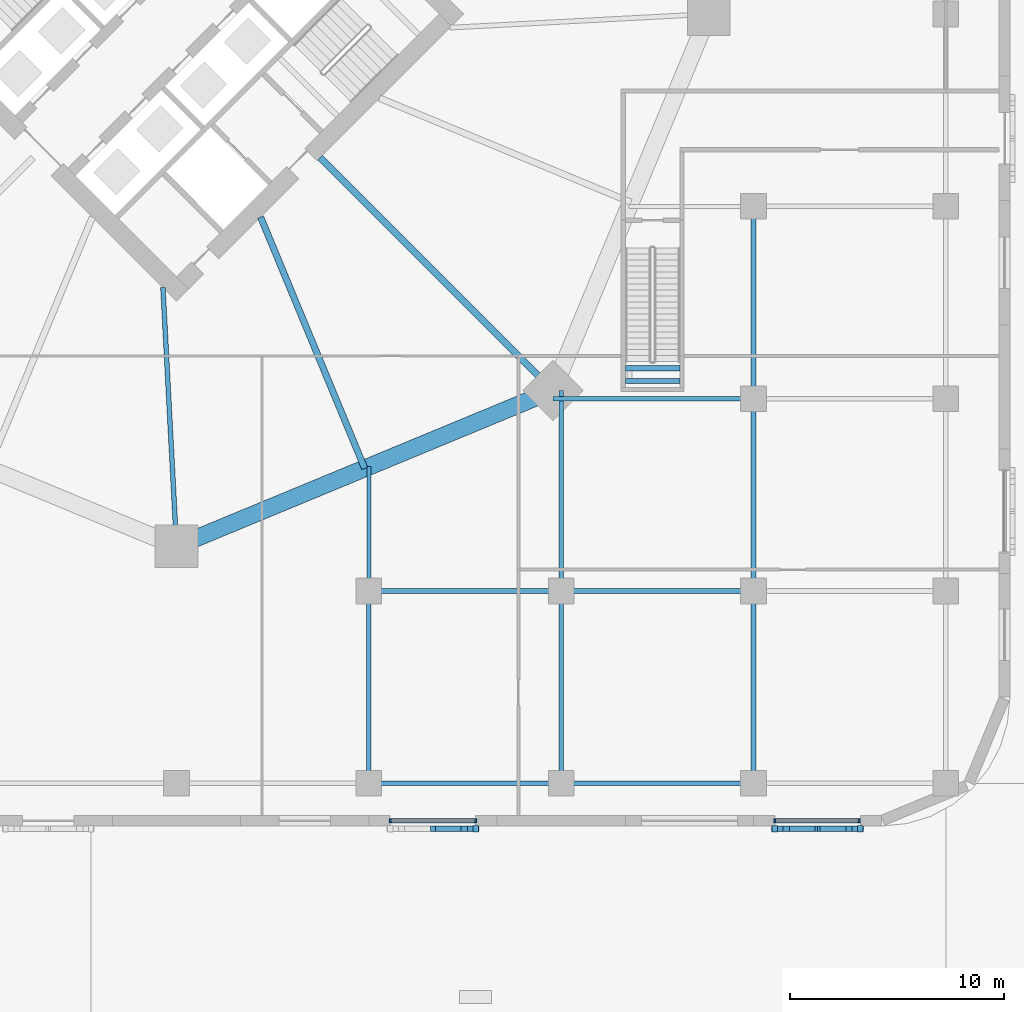
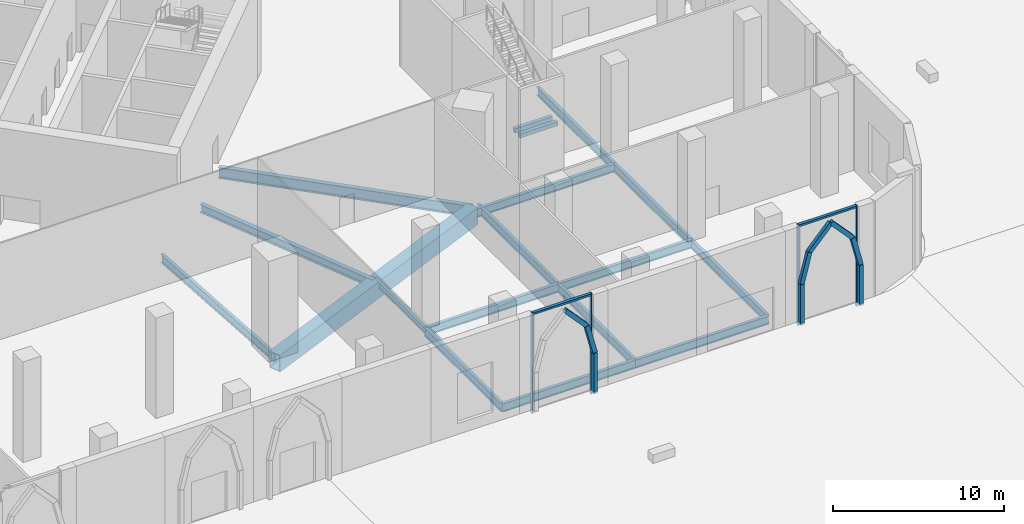
# One storey, part 12 of 48: 18 beams, 15 members, 2 elements without a shape of their own.
"""IFC4 building model written with IfcOpenShell, lengths in metres."""

from ifc_helpers import new_model, si_unit, direction, frame, origin, origin_2d, place, context, subcontext, project, spatial, rectangle, hollow_rectangle, i_section, extrude, material, material_profile, profile_set, type_object, element, aggregate, save


model = new_model("IFC4")

# Units and contexts
model_context = context("Model", 3, precision=1e-05, world=origin(), true_north=direction((0.0, 1.0)))
body_context = subcontext(model_context, "Body", "Model", "MODEL_VIEW")
ifc_project = project(units=[si_unit("LENGTHUNIT", "METRE"), si_unit("AREAUNIT", "SQUARE_METRE"), si_unit("VOLUMEUNIT", "CUBIC_METRE"), si_unit("PLANEANGLEUNIT", "RADIAN"), si_unit("MASSUNIT", "GRAM", prefix="KILO")], contexts=[model_context])

# Site, building, storey
site_placement = place(None, origin())
site = spatial("IfcSite", under=ifc_project, at=site_placement, CompositionType="ELEMENT")
building_placement = place(site_placement, origin())
building = spatial("IfcBuilding", under=site, at=building_placement, Name="Ogive Gate Towers", CompositionType="ELEMENT")
storey_placement = place(building_placement, origin())
storey = spatial("IfcBuildingStorey", under=building, at=storey_placement, Name="L00", CompositionType="ELEMENT", Elevation=0.0)

# Members
ifc_material_1 = material(Name="Precast concrete C40/50", Category="concrete")
ifc_material_profile_1 = material_profile(ifc_material_1, rectangle(XDim=0.25, YDim=0.300048828125, at=origin_2d()), Name="250 x 300 cast stone")
ifc_profile_set_1 = profile_set([ifc_material_profile_1], Name="Precast concrete C40/50")
member_type_1 = type_object("IfcMemberType", Name="Arch rib 250 x 300", PredefinedType="USERDEFINED", material=ifc_profile_set_1)
member_1_placement = place(storey_placement, frame((50.0, -38.125, 0.0), z_axis=(0.0, 0.0, 1.0), x_axis=(1.0, 0.0, 0.0)))
element("IfcMember", 1, at=member_1_placement, inside=storey, type_object=member_type_1, Name="Arcade arch rib", ObjectType="ARCH RIB", PredefinedType="USERDEFINED", context=body_context, shape_type="SweptSolid", body=[
    extrude(rectangle(XDim=0.25, YDim=0.300048828125, at=origin_2d()), origin(), (0.0, 0.0, 1.0), 2.89990234375),
])
for number, where, z_axis, x_axis, name in (
    (2, (50.0, -38.125, 2.89990234375), (-0.245931792163, 0.0, 0.969287136819), (0.0, -1.0, 0.0), "Arcade arch rib"),
    (3, (49.4677734375, -38.125, 4.99755859375), (-0.678223875113, 0.0, 0.734855343062), (0.0, -1.0, 0.0), "Arcade arch rib"),
):
    element("IfcMember", number, at=place(storey_placement, frame(where, z_axis=z_axis, x_axis=x_axis)), inside=storey, type_object=member_type_1, Name=name, ObjectType="ARCH RIB", PredefinedType="USERDEFINED", context=body_context, shape_type="SweptSolid", body=[
        extrude(rectangle(XDim=0.25, YDim=0.300048828125, at=origin_2d()), origin(), (0.0, 0.0, 1.0), 2.1640625),
    ])
member_2_placement = place(storey_placement, frame((64.0, -38.125, 0.0), z_axis=(0.0, 0.0, 1.0), x_axis=(1.0, 0.0, 0.0)))
element("IfcMember", 4, at=member_2_placement, inside=storey, type_object=member_type_1, Name="Arcade arch rib", ObjectType="ARCH RIB", PredefinedType="USERDEFINED", context=body_context, shape_type="SweptSolid", body=[
    extrude(rectangle(XDim=0.25, YDim=0.300048828125, at=origin_2d()), origin(), (0.0, 0.0, 1.0), 2.89990234375),
])
for number, where, z_axis, x_axis, name in (
    (5, (64.0, -38.125, 2.89990234375), (0.245931792163, 0.0, 0.969287136819), (0.0, 1.0, 0.0), "Arcade arch rib"),
    (6, (64.5322265625, -38.125, 4.99755859375), (0.678223875113, 0.0, 0.734855343062), (0.0, 1.0, 0.0), "Arcade arch rib"),
):
    element("IfcMember", number, at=place(storey_placement, frame(where, z_axis=z_axis, x_axis=x_axis)), inside=storey, type_object=member_type_1, Name=name, ObjectType="ARCH RIB", PredefinedType="USERDEFINED", context=body_context, shape_type="SweptSolid", body=[
        extrude(rectangle(XDim=0.25, YDim=0.300048828125, at=origin_2d()), origin(), (0.0, 0.0, 1.0), 2.1640625),
    ])
member_3_placement = place(storey_placement, frame((68.0, -38.125, 0.0), z_axis=(0.0, 0.0, 1.0), x_axis=(1.0, 0.0, 0.0)))
element("IfcMember", 7, at=member_3_placement, inside=storey, type_object=member_type_1, Name="Arcade arch rib", ObjectType="ARCH RIB", PredefinedType="USERDEFINED", context=body_context, shape_type="SweptSolid", body=[
    extrude(rectangle(XDim=0.25, YDim=0.300048828125, at=origin_2d()), origin(), (0.0, 0.0, 1.0), 2.89990234375),
])
for number, where, z_axis, x_axis, name in (
    (8, (68.0, -38.125, 2.89990234375), (-0.245931792163, 0.0, 0.969287136819), (0.0, -1.0, 0.0), "Arcade arch rib"),
    (9, (67.4677734375, -38.125, 4.99755859375), (-0.678223875113, 0.0, 0.734855343062), (0.0, -1.0, 0.0), "Arcade arch rib"),
):
    element("IfcMember", number, at=place(storey_placement, frame(where, z_axis=z_axis, x_axis=x_axis)), inside=storey, type_object=member_type_1, Name=name, ObjectType="ARCH RIB", PredefinedType="USERDEFINED", context=body_context, shape_type="SweptSolid", body=[
        extrude(rectangle(XDim=0.25, YDim=0.300048828125, at=origin_2d()), origin(), (0.0, 0.0, 1.0), 2.1640625),
    ])

# Beams
ifc_material_2 = material(Name="Steel SM460", Category="steel")
ifc_material_profile_2 = material_profile(ifc_material_2, hollow_rectangle(XDim=0.800048828125, YDim=1.199951171875, WallThickness=0.050048828125, at=origin_2d()), Name="BX 1200x800x50")
ifc_profile_set_2 = profile_set([ifc_material_profile_2], Name="Steel SM460")
beam_type_1 = type_object("IfcBeamType", Name="Edge girder BX 1200x800x50", PredefinedType="BEAM", material=ifc_profile_set_2)
beam_1_placement = place(storey_placement, frame((36.0, -24.909912109375, -0.89990234375), z_axis=(0.923880736283, 0.382680526191, 0.0), x_axis=(-0.382680526191, 0.923880736283, 0.0)))
element("IfcBeam", 10, at=beam_1_placement, inside=storey, type_object=beam_type_1, Name="T2/L00/SBM018", PredefinedType="BEAM", context=body_context, shape_type="SweptSolid", body=[
    extrude(hollow_rectangle(XDim=0.800048828125, YDim=1.199951171875, WallThickness=0.050048828125, at=origin_2d()), origin(), (0.0, 0.0, 1.0), 19.065185546875),
])
ifc_material_3 = material(Name="Steel SM355", Category="steel")
ifc_material_profile_3 = material_profile(ifc_material_3, i_section(OverallWidth=0.18994140625, OverallDepth=0.449951171875, WebThickness=0.009521484375, FlangeThickness=0.0146484375, FilletRadius=0.02099609375, at=origin_2d()), Name="IPE 450")
ifc_profile_set_3 = profile_set([ifc_material_profile_3], Name="Steel SM355")
beam_type_2 = type_object("IfcBeamType", Name="Floor beam IPE 450", PredefinedType="BEAM", material=ifc_profile_set_3)
beam_2_placement = place(storey_placement, frame((45.0, -27.0, -0.52490234375), z_axis=(0.0, 1.0, 0.0), x_axis=(-1.0, 0.0, 0.0)))
element("IfcBeam", 11, at=beam_2_placement, inside=storey, type_object=beam_type_2, Name="PD/L00/SBM165", PredefinedType="BEAM", context=body_context, shape_type="SweptSolid", body=[
    extrude(i_section(OverallWidth=0.18994140625, OverallDepth=0.449951171875, WebThickness=0.009521484375, FlangeThickness=0.0146484375, FilletRadius=0.02099609375, at=origin_2d()), origin(), (0.0, 0.0, 1.0), 5.81787109375),
])
ifc_material_profile_4 = material_profile(ifc_material_3, i_section(OverallWidth=0.219970703125, OverallDepth=0.60009765625, WebThickness=0.011962890625, FlangeThickness=0.01904296875, FilletRadius=0.02392578125, at=origin_2d()), Name="IPE 600")
ifc_profile_set_4 = profile_set([ifc_material_profile_4], Name="Steel SM355")
beam_type_3 = type_object("IfcBeamType", Name="Floor beam IPE 600", PredefinedType="BEAM", material=ifc_profile_set_4)
for number, where, z_axis, x_axis, name in (
    (12, (45.0, -36.0, -0.60009765625), (0.0, 1.0, 0.0), (-1.0, 0.0, 0.0), "PD/L00/SBM053"),
    (13, (54.0, -36.0, -0.60009765625), (0.0, 1.0, 0.0), (-1.0, 0.0, 0.0), "PD/L00/SBM055"),
):
    element("IfcBeam", number, at=place(storey_placement, frame(where, z_axis=z_axis, x_axis=x_axis)), inside=storey, type_object=beam_type_3, Name=name, PredefinedType="BEAM", context=body_context, shape_type="SweptSolid", body=[
        extrude(i_section(OverallWidth=0.219970703125, OverallDepth=0.60009765625, WebThickness=0.011962890625, FlangeThickness=0.01904296875, FilletRadius=0.02392578125, at=origin_2d()), origin(), (0.0, 0.0, 1.0), 9.0),
    ])
beam_3_placement = place(storey_placement, frame((54.0, -27.0, -0.60009765625), z_axis=(0.0, 1.0, 0.0), x_axis=(-1.0, 0.0, 0.0)))
element("IfcBeam", 14, at=beam_3_placement, inside=storey, type_object=beam_type_3, Name="PD/L00/SBM056", PredefinedType="BEAM", context=body_context, shape_type="SweptSolid", body=[
    extrude(i_section(OverallWidth=0.219970703125, OverallDepth=0.60009765625, WebThickness=0.011962890625, FlangeThickness=0.01904296875, FilletRadius=0.02392578125, at=origin_2d()), origin(), (0.0, 0.0, 1.0), 9.385986328125),
])
for number, where, z_axis, x_axis, name in (
    (15, (63.0, -36.0, -0.60009765625), (0.0, 1.0, 0.0), (-1.0, 0.0, 0.0), "PD/L00/SBM059"),
    (16, (63.0, -27.0, -0.60009765625), (0.0, 1.0, 0.0), (-1.0, 0.0, 0.0), "PD/L00/SBM060"),
    (17, (63.0, -18.0, -0.60009765625), (0.0, 1.0, 0.0), (-1.0, 0.0, 0.0), "PD/L00/SBM061"),
    (18, (45.0, -36.0, -0.60009765625), (1.0, 0.0, 0.0), (0.0, 1.0, 0.0), "PD/L00/SBM086"),
    (19, (54.0, -36.0, -0.60009765625), (1.0, 0.0, 0.0), (0.0, 1.0, 0.0), "PD/L00/SBM087"),
    (20, (45.0, -27.0, -0.60009765625), (1.0, 0.0, 0.0), (0.0, 1.0, 0.0), "PD/L00/SBM098"),
    (21, (54.0, -27.0, -0.60009765625), (1.0, 0.0, 0.0), (0.0, 1.0, 0.0), "PD/L00/SBM099"),
):
    element("IfcBeam", number, at=place(storey_placement, frame(where, z_axis=z_axis, x_axis=x_axis)), inside=storey, type_object=beam_type_3, Name=name, PredefinedType="BEAM", context=body_context, shape_type="SweptSolid", body=[
        extrude(i_section(OverallWidth=0.219970703125, OverallDepth=0.60009765625, WebThickness=0.011962890625, FlangeThickness=0.01904296875, FilletRadius=0.02392578125, at=origin_2d()), origin(), (0.0, 0.0, 1.0), 9.0),
    ])
beam_4_placement = place(storey_placement, frame((53.614013671875, -18.0, -0.60009765625), z_axis=(1.0, 0.0, 0.0), x_axis=(0.0, 1.0, 0.0)))
element("IfcBeam", 22, at=beam_4_placement, inside=storey, type_object=beam_type_3, Name="PD/L00/SBM107", PredefinedType="BEAM", context=body_context, shape_type="SweptSolid", body=[
    extrude(i_section(OverallWidth=0.219970703125, OverallDepth=0.60009765625, WebThickness=0.011962890625, FlangeThickness=0.01904296875, FilletRadius=0.02392578125, at=origin_2d()), origin(), (0.0, 0.0, 1.0), 9.385986328125),
])
ifc_material_4 = material(Name="Concrete C40/50", Category="concrete")
ifc_material_profile_5 = material_profile(ifc_material_4, rectangle(XDim=0.25, YDim=0.300048828125, at=origin_2d()), Name="RC 250x300")
ifc_profile_set_5 = profile_set([ifc_material_profile_5], Name="Concrete C40/50")
beam_type_4 = type_object("IfcBeamType", Name="Landing bearer RC 250x300 (stair)", PredefinedType="BEAM", material=ifc_profile_set_5)
for number, where, z_axis, x_axis, name in (
    (23, (57.0, -16.570068359375, 3.25), (1.0, 0.0, 0.0), (0.0, 1.0, 0.0), "PS2 L00 landing 1 bearer 1"),
    (24, (57.0, -17.169921875, 3.25), (1.0, 0.0, 0.0), (0.0, 1.0, 0.0), "PS2 L00 landing 1 bearer 2"),
):
    element("IfcBeam", number, at=place(storey_placement, frame(where, z_axis=z_axis, x_axis=x_axis)), inside=storey, type_object=beam_type_4, Name=name, PredefinedType="BEAM", context=body_context, shape_type="SweptSolid", body=[
        extrude(rectangle(XDim=0.25, YDim=0.300048828125, at=origin_2d()), origin(), (0.0, 0.0, 1.0), 2.550048828125),
    ])

# Curtain wall, members
ifc_material_5 = material(Name="Pale metal aluminium", Category="aluminium")
curtain_wall_type = type_object("IfcCurtainWallType", Name="Podium glazing", PredefinedType="NOTDEFINED", material=ifc_material_5)
curtain_wall_1_placement = place(storey_placement, origin())
curtain_wall_1 = element("IfcCurtainWall", 25, at=curtain_wall_1_placement, inside=storey, type_object=curtain_wall_type, Name="CW6 PD ECW13", PredefinedType="NOTDEFINED")
ifc_material_profile_6 = material_profile(ifc_material_5, rectangle(XDim=0.199951171875, YDim=0.080078125, at=origin_2d()), Name="80 x 200 aluminium box")
ifc_profile_set_6 = profile_set([ifc_material_profile_6], Name="Pale metal aluminium")
member_type_2 = type_object("IfcMemberType", Name="Podium glazing mullion 80 x 200", PredefinedType="MULLION", material=ifc_profile_set_6)
member_4_placement = place(storey_placement, frame((46.0, -37.75, -0.300048828125), z_axis=(0.0, 0.0, 1.0), x_axis=(0.0, -1.0, 0.0)))
member_4 = element("IfcMember", 26, at=member_4_placement, type_object=member_type_2, Name="CW6 mullion", PredefinedType="MULLION", context=body_context, shape_type="SweptSolid", body=[
    extrude(rectangle(XDim=0.199951171875, YDim=0.080078125, at=origin_2d()), origin(), (0.0, 0.0, 1.0), 7.199951171875),
])
member_5_placement = place(storey_placement, frame((50.0, -37.75, -0.300048828125), z_axis=(0.0, 0.0, 1.0), x_axis=(0.0, -1.0, 0.0)))
member_5 = element("IfcMember", 27, at=member_5_placement, type_object=member_type_2, Name="CW6 mullion", PredefinedType="MULLION", context=body_context, shape_type="SweptSolid", body=[
    extrude(rectangle(XDim=0.199951171875, YDim=0.080078125, at=origin_2d()), origin(), (0.0, 0.0, 1.0), 7.199951171875),
])

curtain_wall_2_placement = place(storey_placement, origin())
curtain_wall_2 = element("IfcCurtainWall", 28, at=curtain_wall_2_placement, inside=storey, type_object=curtain_wall_type, Name="CW6 PD ECW14", PredefinedType="NOTDEFINED")
member_6_placement = place(storey_placement, frame((64.0, -37.75, -0.300048828125), z_axis=(0.0, 0.0, 1.0), x_axis=(0.0, -1.0, 0.0)))
member_6 = element("IfcMember", 29, at=member_6_placement, type_object=member_type_2, Name="CW6 mullion", PredefinedType="MULLION", context=body_context, shape_type="SweptSolid", body=[
    extrude(rectangle(XDim=0.199951171875, YDim=0.080078125, at=origin_2d()), origin(), (0.0, 0.0, 1.0), 7.199951171875),
])
member_7_placement = place(storey_placement, frame((67.9501953125, -37.75, -0.300048828125), z_axis=(0.0, 0.0, 1.0), x_axis=(0.0, -1.0, 0.0)))
member_7 = element("IfcMember", 30, at=member_7_placement, type_object=member_type_2, Name="CW6 mullion", PredefinedType="MULLION", context=body_context, shape_type="SweptSolid", body=[
    extrude(rectangle(XDim=0.199951171875, YDim=0.080078125, at=origin_2d()), origin(), (0.0, 0.0, 1.0), 7.199951171875),
])

# Member
ifc_material_profile_7 = material_profile(ifc_material_5, rectangle(XDim=0.199951171875, YDim=0.139892578125, at=origin_2d()), Name="140 x 200 aluminium box")
ifc_profile_set_7 = profile_set([ifc_material_profile_7], Name="Pale metal aluminium")
member_type_3 = type_object("IfcMemberType", Name="Podium glazing transom 140 x 200", PredefinedType="USERDEFINED", material=ifc_profile_set_7)
member_8_placement = place(storey_placement, frame((46.0400390625, -37.75, 6.830078125), z_axis=(1.0, 0.0, 0.0), x_axis=(0.0, 1.0, 0.0)))
member_8 = element("IfcMember", 31, at=member_8_placement, type_object=member_type_3, Name="CW6 transom", ObjectType="TRANSOM", PredefinedType="USERDEFINED", context=body_context, shape_type="SweptSolid", body=[
    extrude(rectangle(XDim=0.199951171875, YDim=0.139892578125, at=origin_2d()), origin(), (0.0, 0.0, 1.0), 3.919921875),
])

aggregate(curtain_wall_1, [member_4, member_5, member_8])

member_9_placement = place(storey_placement, frame((64.0400390625, -37.75, 6.830078125), z_axis=(1.0, 0.0, 0.0), x_axis=(0.0, 1.0, 0.0)))
member_9 = element("IfcMember", 32, at=member_9_placement, type_object=member_type_3, Name="CW6 transom", ObjectType="TRANSOM", PredefinedType="USERDEFINED", context=body_context, shape_type="SweptSolid", body=[
    extrude(rectangle(XDim=0.199951171875, YDim=0.139892578125, at=origin_2d()), origin(), (0.0, 0.0, 1.0), 3.870361328125),
])

aggregate(curtain_wall_2, [member_6, member_7, member_9])

# Beams
ifc_material_profile_8 = material_profile(ifc_material_3, i_section(OverallWidth=0.300048828125, OverallDepth=0.590087890625, WebThickness=0.012939453125, FlangeThickness=0.02490234375, FilletRadius=0.027099609375, at=origin_2d()), Name="HE 600 A")
ifc_profile_set_8 = profile_set([ifc_material_profile_8], Name="Steel SM355")
beam_type_5 = type_object("IfcBeamType", Name="Radial floor beam HE 600 A", PredefinedType="BEAM", material=ifc_profile_set_8)
beam_5_placement = place(storey_placement, frame((39.93505859375, -9.5, -0.594970703125), z_axis=(0.382690523214, -0.923876595354, 0.0), x_axis=(0.923876595354, 0.382690523214, 0.0)))
element("IfcBeam", 33, at=beam_5_placement, inside=storey, type_object=beam_type_5, Name="T2/L00/SBM004", PredefinedType="BEAM", context=body_context, shape_type="SweptSolid", body=[
    extrude(i_section(OverallWidth=0.300048828125, OverallDepth=0.590087890625, WebThickness=0.012939453125, FlangeThickness=0.02490234375, FilletRadius=0.027099609375, at=origin_2d()), origin(), (0.0, 0.0, 1.0), 12.731201171875),
])
ifc_material_profile_9 = material_profile(ifc_material_3, i_section(OverallWidth=0.300048828125, OverallDepth=0.7900390625, WebThickness=0.014892578125, FlangeThickness=0.028076171875, FilletRadius=0.030029296875, at=origin_2d()), Name="HE 800 A")
ifc_profile_set_9 = profile_set([ifc_material_profile_9], Name="Steel SM355")
beam_type_6 = type_object("IfcBeamType", Name="Radial floor beam HE 800 A", PredefinedType="BEAM", material=ifc_profile_set_9)
beam_6_placement = place(storey_placement, frame((42.717529296875, -6.717529296875, -0.695068359375), z_axis=(0.707106781187, -0.707106781187, 0.0), x_axis=(0.707106781187, 0.707106781187, 0.0)))
element("IfcBeam", 34, at=beam_6_placement, inside=storey, type_object=beam_type_6, Name="T2/L00/SBM005", PredefinedType="BEAM", context=body_context, shape_type="SweptSolid", body=[
    extrude(i_section(OverallWidth=0.300048828125, OverallDepth=0.7900390625, WebThickness=0.014892578125, FlangeThickness=0.028076171875, FilletRadius=0.030029296875, at=origin_2d()), origin(), (0.0, 0.0, 1.0), 15.409912109375),
])
ifc_material_profile_10 = material_profile(ifc_material_3, i_section(OverallWidth=0.219970703125, OverallDepth=0.60009765625, WebThickness=0.011962890625, FlangeThickness=0.01904296875, FilletRadius=0.02392578125, at=origin_2d()), Name="IPE 600")
ifc_profile_set_10 = profile_set([ifc_material_profile_10], Name="Steel SM355")
beam_type_7 = type_object("IfcBeamType", Name="Radial floor beam IPE 600", PredefinedType="BEAM", material=ifc_profile_set_10)
beam_7_placement = place(storey_placement, frame((35.363525390625, -12.798583984375, -0.60009765625), z_axis=(0.052479590907, -0.998621996823, 0.0), x_axis=(0.998621996823, 0.052479590907, 0.0)))
element("IfcBeam", 35, at=beam_7_placement, inside=storey, type_object=beam_type_7, Name="T2/L00/SBM003", PredefinedType="BEAM", context=body_context, shape_type="SweptSolid", body=[
    extrude(i_section(OverallWidth=0.219970703125, OverallDepth=0.60009765625, WebThickness=0.011962890625, FlangeThickness=0.01904296875, FilletRadius=0.02392578125, at=origin_2d()), origin(), (0.0, 0.0, 1.0), 12.1279296875),
])

save(model, "model.ifc")
